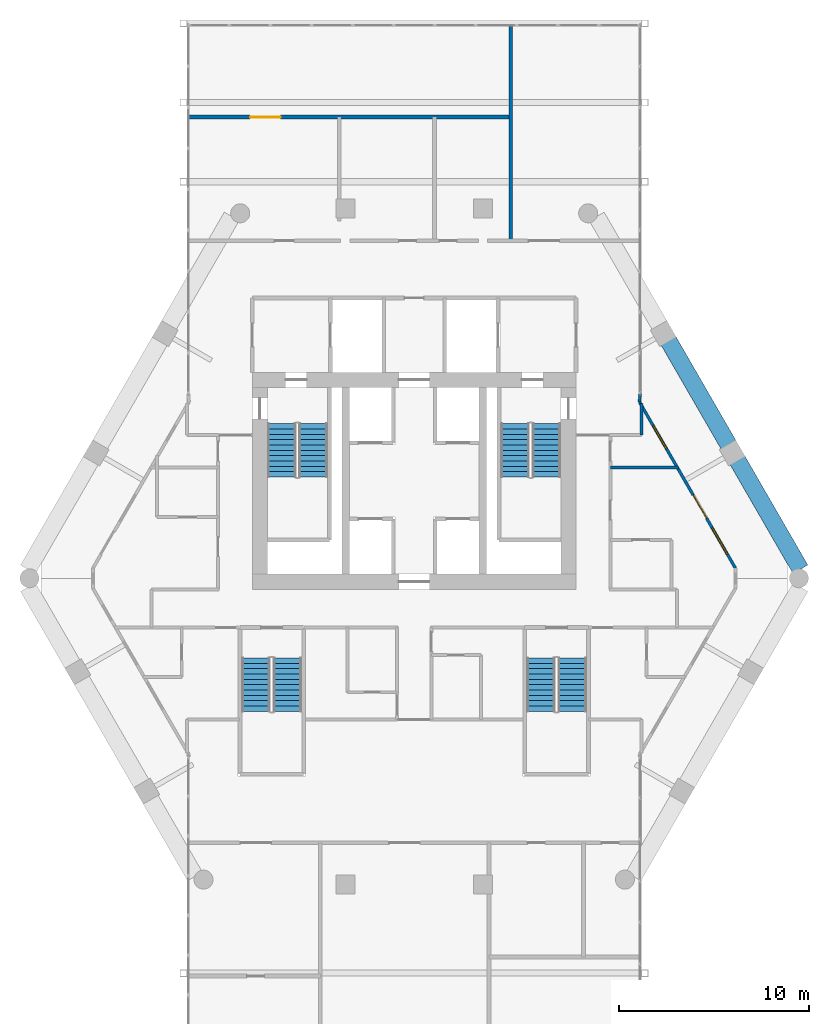
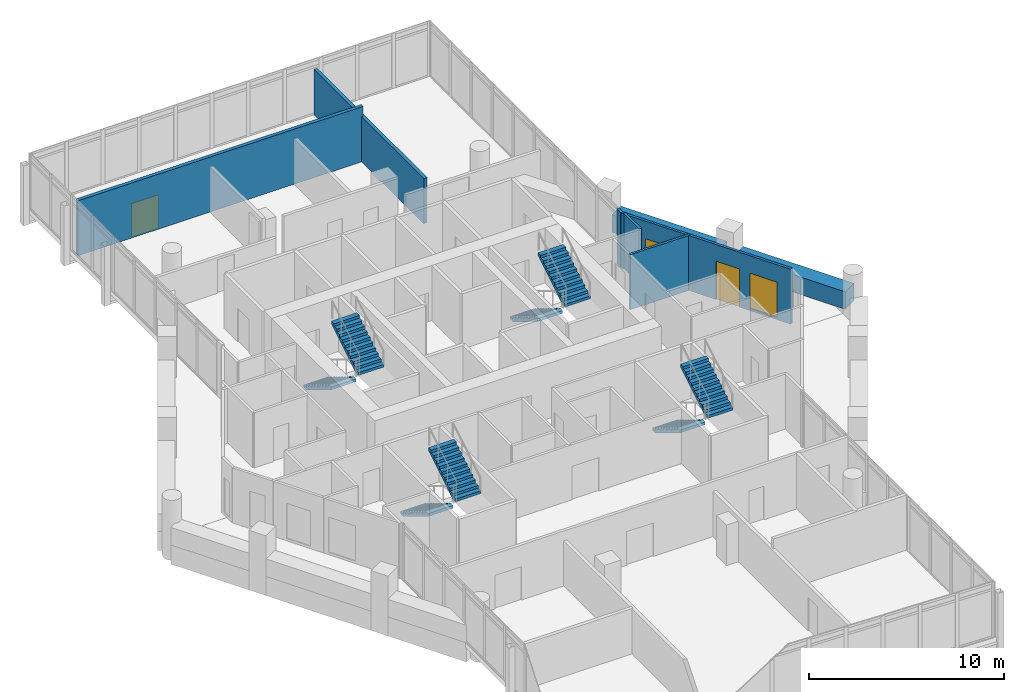
# One storey, part 28 of 29: 8 stair flights, 8 walls, 2 doors, 2 windows, 4 openings, 4 elements without a shape of their own.
"""IFC4 building model written with IfcOpenShell, lengths in metres."""

from ifc_helpers import new_model, si_unit, direction, frame, frame_2d, origin, place, context, subcontext, project, spatial, polyline, rectangle, outline, extrude, material, layer, layer_set, type_object, element, fill, aggregate, save


model = new_model("IFC4")

# Units and contexts
model_context = context("Model", 3, precision=1e-05, world=origin(), true_north=direction((0.0, 1.0)))
body_context = subcontext(model_context, "Body", "Model", "MODEL_VIEW")
ifc_project = project(units=[si_unit("LENGTHUNIT", "METRE"), si_unit("AREAUNIT", "SQUARE_METRE"), si_unit("VOLUMEUNIT", "CUBIC_METRE"), si_unit("PLANEANGLEUNIT", "RADIAN"), si_unit("MASSUNIT", "GRAM", prefix="KILO")], contexts=[model_context])

# Site, building, storey
site_placement = place(None, origin())
site = spatial("IfcSite", under=ifc_project, at=site_placement, CompositionType="ELEMENT")
building_placement = place(site_placement, origin())
building = spatial("IfcBuilding", under=site, at=building_placement, Name="Ostrander Bayou Hotel Tower", CompositionType="ELEMENT")
storey_placement = place(building_placement, frame((0.0, 0.0, 202.0)))
storey = spatial("IfcBuildingStorey", under=building, at=storey_placement, Name="L50", CompositionType="ELEMENT", Elevation=202.0)

# Wall, openings, door, windows
ifc_material_1 = material(Name="Aluminium framed insulated wall", Category="aluminium")
ifc_layer_1 = layer(ifc_material_1, 0.14990234375)
ifc_layer_set_1 = layer_set([ifc_layer_1], Name="GW1 glass-line wall 150 mm")
wall_type_1 = type_object("IfcWallType", Name="GW1 glass-line wall 150 mm", PredefinedType="SOLIDWALL", material=ifc_layer_set_1)
wall_1_placement = place(storey_placement, frame((16.861328125, -0.580322265625, 0.0), z_axis=(0.0, 0.0, 1.0), x_axis=(-0.499993749393, 0.866029012544, 0.0)))
wall_1 = element("IfcWall", 1, at=wall_1_placement, inside=storey, type_object=wall_type_1, Name="GW1 L50 NE 1", PredefinedType="SOLIDWALL", context=body_context, shape_type="SweptSolid", body=[
    extrude(rectangle(XDim=10.074951171875, YDim=0.14990234375, at=frame_2d((5.03759765625, 0.0))), origin(), (0.0, 0.0, 1.0), 3.449951171875),
])
opening_1_placement = place(wall_1_placement, frame((0.833251953125, 0.0, 0.14990234375)))
opening_1 = element("IfcOpeningElement", 2, at=opening_1_placement, cuts=wall_1, Name="Opening W9", PredefinedType="OPENING", context=body_context, shape_type="SweptSolid", body=[
    extrude(rectangle(XDim=1.60009765625, YDim=2.199951171875, at=frame_2d((0.800048828125, 1.10009765625))), frame((0.0, 0.074951171875, 0.0), z_axis=(0.0, -1.0, 0.0), x_axis=(1.0, 0.0, 0.0)), (0.0, 0.0, 1.0), 0.14990234375),
])
opening_2_placement = place(wall_1_placement, frame((3.033203125, 0.0, 0.0)))
opening_2 = element("IfcOpeningElement", 3, at=opening_2_placement, cuts=wall_1, Name="Opening T50-801", PredefinedType="OPENING", context=body_context, shape_type="SweptSolid", body=[
    extrude(rectangle(XDim=1.39990234375, YDim=2.39990234375, at=frame_2d((0.699951171875, 1.199951171875))), frame((0.0, 0.074951171875, 0.0), z_axis=(0.0, -1.0, 0.0), x_axis=(1.0, 0.0, 0.0)), (0.0, 0.0, 1.0), 0.14990234375),
])
opening_3_placement = place(wall_1_placement, frame((7.233154296875, 0.0, 0.14990234375)))
opening_3 = element("IfcOpeningElement", 4, at=opening_3_placement, cuts=wall_1, Name="Opening W13", PredefinedType="OPENING", context=body_context, shape_type="SweptSolid", body=[
    extrude(rectangle(XDim=1.39990234375, YDim=2.199951171875, at=frame_2d((0.699951171875, 1.10009765625))), frame((0.0, 0.074951171875, 0.0), z_axis=(0.0, -1.0, 0.0), x_axis=(1.0, 0.0, 0.0)), (0.0, 0.0, 1.0), 0.14990234375),
])
ifc_material_2 = material(Name="Aluminium and clear glass", Category="aluminium")
door_type_1 = type_object("IfcDoorType", Name="SD3 sliding glass door 1400 mm, zone 3", OperationType="SLIDING_TO_LEFT", PredefinedType="DOOR", material=ifc_material_2)
door_1_placement = place(opening_2_placement, origin())
door_1 = element("IfcDoor", 5, at=door_1_placement, inside=storey, type_object=door_type_1, Name="SD3 L50 NE 1", OperationType="SLIDING_TO_LEFT", OverallHeight=2.39990234375, OverallWidth=1.39990234375, PredefinedType="DOOR", context=body_context, shape_type="SweptSolid", body=[
    extrude(rectangle(XDim=1.39990234375, YDim=2.39990234375, at=frame_2d((0.699951171875, 1.199951171875))), frame((0.0, 0.02490234375, 0.0), z_axis=(0.0, -1.0, 0.0), x_axis=(1.0, 0.0, 0.0)), (0.0, 0.0, 1.0), 0.050048828125),
])
fill(opening_2, door_1)
ifc_material_3 = material(Name="Aluminium and clear glass", Category="aluminium")
window_type_1 = type_object("IfcWindowType", Name="W13 fixed window 1400 mm, bath bay, zone 3", PartitioningType="SINGLE_PANEL", PredefinedType="WINDOW", material=ifc_material_3)
window_1_placement = place(opening_3_placement, origin())
window_1 = element("IfcWindow", 6, at=window_1_placement, inside=storey, type_object=window_type_1, Name="W13 L50 NE 2", OverallHeight=2.199951171875, OverallWidth=1.39990234375, PartitioningType="SINGLE_PANEL", PredefinedType="WINDOW", context=body_context, shape_type="SweptSolid", body=[
    extrude(rectangle(XDim=1.39990234375, YDim=2.199951171875, at=frame_2d((0.699951171875, 1.10009765625))), frame((0.0, 0.030029296875, 0.0), z_axis=(0.0, -1.0, 0.0), x_axis=(1.0, 0.0, 0.0)), (0.0, 0.0, 1.0), 0.06005859375),
])
fill(opening_3, window_1)
ifc_material_4 = material(Name="Aluminium and clear glass", Category="aluminium")
window_type_2 = type_object("IfcWindowType", Name="W9 fixed window 1600 mm, bar storeys, zone 3", PartitioningType="SINGLE_PANEL", PredefinedType="WINDOW", material=ifc_material_4)
window_2_placement = place(opening_1_placement, origin())
window_2 = element("IfcWindow", 7, at=window_2_placement, inside=storey, type_object=window_type_2, Name="W9 L50 NE 1", OverallHeight=2.199951171875, OverallWidth=1.60009765625, PartitioningType="SINGLE_PANEL", PredefinedType="WINDOW", context=body_context, shape_type="SweptSolid", body=[
    extrude(rectangle(XDim=1.60009765625, YDim=2.199951171875, at=frame_2d((0.800048828125, 1.10009765625))), frame((0.0, 0.030029296875, 0.0), z_axis=(0.0, -1.0, 0.0), x_axis=(1.0, 0.0, 0.0)), (0.0, 0.0, 1.0), 0.06005859375),
])
fill(opening_1, window_2)

# Walls
wall_2_placement = place(storey_placement, frame((11.823974609375, 8.144775390625, 0.0), z_axis=(0.0, 0.0, 1.0), x_axis=(0.078869316502, 0.996884963732, 0.0)))
element("IfcWall", 8, at=wall_2_placement, inside=storey, type_object=wall_type_1, Name="GW1 L50 bar joint 4", PredefinedType="SOLIDWALL", context=body_context, shape_type="SweptSolid", body=[
    extrude(rectangle(XDim=0.4208984375, YDim=0.14990234375, at=frame_2d((0.21044921875, 0.0))), origin(), (0.0, 0.0, 1.0), 3.449951171875),
])
ifc_material_5 = material(Name="Concrete f'c 40 MPa", Category="concrete")
ifc_layer_2 = layer(ifc_material_5, 0.89990234375)
ifc_layer_set_2 = layer_set([ifc_layer_2], Name="PA1 stone-faced parapet 900 mm")
wall_type_2 = type_object("IfcWallType", Name="PA1 stone-faced parapet 900 mm", PredefinedType="PARAPET", material=ifc_layer_set_2)
wall_3_placement = place(storey_placement, frame((20.275146484375, -0.64306640625, 0.0), z_axis=(0.0, 0.0, 1.0), x_axis=(-0.500010360262, 0.866019422202, 0.0)))
element("IfcWall", 9, at=wall_3_placement, inside=storey, type_object=wall_type_2, Name="PA1 L50 NE-1", PredefinedType="PARAPET", context=body_context, shape_type="SweptSolid", body=[
    extrude(rectangle(XDim=6.606201171875, YDim=0.89990234375, at=frame_2d((3.30322265625, 0.0))), origin(), (0.0, 0.0, 1.0), 1.10009765625),
])
wall_4_placement = place(storey_placement, frame((16.501953125, 5.892333984375, 0.0), z_axis=(0.0, 0.0, 1.0), x_axis=(-0.500013351051, 0.866017695414, 0.0)))
element("IfcWall", 10, at=wall_4_placement, inside=storey, type_object=wall_type_2, Name="PA1 L50 NE-2", PredefinedType="PARAPET", context=body_context, shape_type="SweptSolid", body=[
    extrude(rectangle(XDim=6.296142578125, YDim=0.89990234375, at=frame_2d((3.14794921875, 0.0))), origin(), (0.0, 0.0, 1.0), 1.10009765625),
])

# Wall, opening, door
ifc_material_6 = material(Name="Gypsum board partition", Category="finish")
ifc_layer_3 = layer(ifc_material_6, 0.199951171875)
ifc_layer_set_3 = layer_set([ifc_layer_3], Name="PT3 demising wall 200 mm acoustic double stud, 1 hour")
wall_type_3 = type_object("IfcWallType", Name="PT3 demising wall 200 mm acoustic double stud, 1 hour", PredefinedType="PARTITIONING", material=ifc_layer_set_3)
wall_5_placement = place(storey_placement, frame((-11.838134765625, 23.10009765625, 0.0), z_axis=(0.0, 0.0, 1.0), x_axis=(1.0, 0.0, 0.0)))
wall_5 = element("IfcWall", 11, at=wall_5_placement, inside=storey, type_object=wall_type_3, Name="sw:L50:506", PredefinedType="PARTITIONING", context=body_context, shape_type="SweptSolid", body=[
    extrude(rectangle(XDim=16.906005859375, YDim=0.199951171875, at=frame_2d((8.453125, 0.0))), origin(), (0.0, 0.0, 1.0), 3.449951171875),
])
opening_4_placement = place(wall_5_placement, frame((3.220947265625, 0.0, 0.0)))
opening_4 = element("IfcOpeningElement", 12, at=opening_4_placement, cuts=wall_5, Name="Opening T50-1210", PredefinedType="OPENING", context=body_context, shape_type="SweptSolid", body=[
    extrude(rectangle(XDim=1.60009765625, YDim=2.10009765625, at=frame_2d((0.800048828125, 1.050048828125))), frame((0.0, 0.10009765625, 0.0), z_axis=(0.0, -1.0, 0.0), x_axis=(1.0, 0.0, 0.0)), (0.0, 0.0, 1.0), 0.199951171875),
])
ifc_material_7 = material(Name="Timber door leaf", Category="wood")
door_type_2 = type_object("IfcDoorType", Name="D13 double door 1600 x 2100 mm, 1 hour", OperationType="SINGLE_SWING_LEFT", PredefinedType="DOOR", material=ifc_material_7)
door_2_placement = place(opening_4_placement, origin())
door_2 = element("IfcDoor", 13, at=door_2_placement, inside=storey, type_object=door_type_2, Name="dr:L50:1210", OperationType="DOUBLE_DOOR_SINGLE_SWING", OverallHeight=2.10009765625, OverallWidth=1.60009765625, PredefinedType="DOOR", context=body_context, shape_type="SweptSolid", body=[
    extrude(rectangle(XDim=1.60009765625, YDim=2.10009765625, at=frame_2d((0.800048828125, 1.050048828125))), frame((0.0, 0.02490234375, 0.0), z_axis=(0.0, -1.0, 0.0), x_axis=(1.0, 0.0, 0.0)), (0.0, 0.0, 1.0), 0.050048828125),
])
fill(opening_4, door_2)

# Walls
wall_6_placement = place(storey_placement, frame((5.068115234375, 16.60009765625, 0.0), z_axis=(0.0, 0.0, 1.0), x_axis=(0.0, 1.0, 0.0)))
element("IfcWall", 14, at=wall_6_placement, inside=storey, type_object=wall_type_3, Name="sw:L50:511", PredefinedType="PARTITIONING", context=body_context, shape_type="SweptSolid", body=[
    extrude(rectangle(XDim=11.297119140625, YDim=0.199951171875, at=frame_2d((5.6484375, 0.0))), origin(), (0.0, 0.0, 1.0), 2.8388671875),
])
ifc_material_8 = material(Name="Gypsum board partition", Category="finish")
ifc_layer_4 = layer(ifc_material_8, 0.14990234375)
ifc_layer_set_4 = layer_set([ifc_layer_4], Name="PT8 service band wall 150 mm, 1 hour")
wall_type_4 = type_object("IfcWallType", Name="PT8 service band wall 150 mm, 1 hour", PredefinedType="PARTITIONING", material=ifc_layer_set_4)
wall_7_placement = place(storey_placement, frame((10.300048828125, 4.699951171875, 0.0), z_axis=(0.0, 0.0, 1.0), x_axis=(1.0, 0.0, 0.0)))
element("IfcWall", 15, at=wall_7_placement, inside=storey, type_object=wall_type_4, Name="gw:L50:017", PredefinedType="PARTITIONING", context=body_context, shape_type="SweptSolid", body=[
    extrude(rectangle(XDim=3.56494140625, YDim=0.14990234375, at=frame_2d((1.782470703125, 0.0))), origin(), (0.0, 0.0, 1.0), 3.449951171875),
])
wall_8_placement = place(storey_placement, frame((11.929931640625, 6.39990234375, 0.0), z_axis=(0.0, 0.0, 1.0), x_axis=(0.0, 1.0, 0.0)))
element("IfcWall", 16, at=wall_8_placement, inside=storey, type_object=wall_type_4, Name="gw:L50:024", PredefinedType="PARTITIONING", context=body_context, shape_type="SweptSolid", body=[
    extrude(rectangle(XDim=1.651123046875, YDim=0.14990234375, at=frame_2d((0.82568359375, 0.0))), origin(), (0.0, 0.0, 1.0), 3.449951171875),
])

# Stair, stair flights
ifc_material_9 = material(Name="Concrete f'c 45 MPa", Category="concrete")
stair_type = type_object("IfcStairType", Name="ST1 exit stair 1500 mm f'c 45 MPa", PredefinedType="HALF_TURN_STAIR", material=ifc_material_9)
stair_1_placement = place(storey_placement, origin())
stair_1 = element("IfcStair", 17, at=stair_1_placement, inside=storey, type_object=stair_type, Name="L50 exit stair A", PredefinedType="HALF_TURN_STAIR")
ifc_material_10 = material(Name="Concrete f'c 45 MPa", Category="concrete")
stair_flight_type = type_object("IfcStairFlightType", Name="SF1 stair flight 1500 mm f'c 45 MPa", PredefinedType="STRAIGHT", material=ifc_material_10)
stair_flight_1_placement = place(storey_placement, frame((-6.949951171875, 7.0, 0.0), z_axis=(0.0, 0.0, 1.0), x_axis=(0.0, -1.0, 0.0)))
stair_flight_1 = element("IfcStairFlight", 18, at=stair_flight_1_placement, type_object=stair_flight_type, Name="STA flight 1", NumberOfRisers=11, NumberOfTreads=10, PredefinedType="STRAIGHT", RiserHeight=0.170454545, TreadLength=0.28, context=body_context, shape_type="SweptSolid", body=[
    extrude(outline(polyline([(0.0, 0.0), (0.0, 0.17041015625), (0.280029296875, 0.17041015625), (0.280029296875, 0.3408203125), (0.56005859375, 0.3408203125), (0.56005859375, 0.511474609375), (0.840087890625, 0.511474609375), (0.840087890625, 0.681884765625), (1.1201171875, 0.681884765625), (1.1201171875, 0.852294921875), (1.39990234375, 0.852294921875), (1.39990234375, 1.022705078125), (1.679931640625, 1.022705078125), (1.679931640625, 1.193115234375), (1.9599609375, 1.193115234375), (1.9599609375, 1.363525390625), (2.239990234375, 1.363525390625), (2.239990234375, 1.5341796875), (2.52001953125, 1.5341796875), (2.52001953125, 1.70458984375), (2.800048828125, 1.70458984375), (2.800048828125, 1.875), (2.800048828125, 1.529052734375), (0.288330078125, 0.0), (0.0, 0.0)])), frame((0.0, 0.75, 0.0), z_axis=(0.0, -1.0, 0.0), x_axis=(1.0, 0.0, 0.0)), (0.0, 0.0, 1.0), 1.5),
])
stair_flight_2_placement = place(storey_placement, frame((-5.300048828125, 4.199951171875, 1.875), z_axis=(0.0, 0.0, 1.0), x_axis=(0.0, 1.0, 0.0)))
stair_flight_2 = element("IfcStairFlight", 19, at=stair_flight_2_placement, type_object=stair_flight_type, Name="STA flight 2", NumberOfRisers=11, NumberOfTreads=10, PredefinedType="STRAIGHT", RiserHeight=0.170454545, TreadLength=0.28, context=body_context, shape_type="SweptSolid", body=[
    extrude(outline(polyline([(0.0, 0.0), (0.0, 0.17041015625), (0.280029296875, 0.17041015625), (0.280029296875, 0.3408203125), (0.56005859375, 0.3408203125), (0.56005859375, 0.511474609375), (0.840087890625, 0.511474609375), (0.840087890625, 0.681884765625), (1.1201171875, 0.681884765625), (1.1201171875, 0.852294921875), (1.39990234375, 0.852294921875), (1.39990234375, 1.022705078125), (1.679931640625, 1.022705078125), (1.679931640625, 1.193115234375), (1.9599609375, 1.193115234375), (1.9599609375, 1.363525390625), (2.239990234375, 1.363525390625), (2.239990234375, 1.5341796875), (2.52001953125, 1.5341796875), (2.52001953125, 1.70458984375), (2.800048828125, 1.70458984375), (2.800048828125, 1.875), (2.800048828125, 1.529052734375), (0.288330078125, 0.0), (0.0, 0.0)])), frame((0.0, 0.75, 0.0), z_axis=(0.0, -1.0, 0.0), x_axis=(1.0, 0.0, 0.0)), (0.0, 0.0, 1.0), 1.5),
])
aggregate(stair_1, [stair_flight_1, stair_flight_2])

stair_2_placement = place(storey_placement, origin())
stair_2 = element("IfcStair", 20, at=stair_2_placement, inside=storey, type_object=stair_type, Name="L50 exit stair B", PredefinedType="HALF_TURN_STAIR")
stair_flight_3_placement = place(storey_placement, frame((5.300048828125, 7.0, 0.0), z_axis=(0.0, 0.0, 1.0), x_axis=(0.0, -1.0, 0.0)))
stair_flight_3 = element("IfcStairFlight", 21, at=stair_flight_3_placement, type_object=stair_flight_type, Name="STB flight 1", NumberOfRisers=11, NumberOfTreads=10, PredefinedType="STRAIGHT", RiserHeight=0.170454545, TreadLength=0.28, context=body_context, shape_type="SweptSolid", body=[
    extrude(outline(polyline([(0.0, 0.0), (0.0, 0.17041015625), (0.280029296875, 0.17041015625), (0.280029296875, 0.3408203125), (0.56005859375, 0.3408203125), (0.56005859375, 0.511474609375), (0.840087890625, 0.511474609375), (0.840087890625, 0.681884765625), (1.1201171875, 0.681884765625), (1.1201171875, 0.852294921875), (1.39990234375, 0.852294921875), (1.39990234375, 1.022705078125), (1.679931640625, 1.022705078125), (1.679931640625, 1.193115234375), (1.9599609375, 1.193115234375), (1.9599609375, 1.363525390625), (2.239990234375, 1.363525390625), (2.239990234375, 1.5341796875), (2.52001953125, 1.5341796875), (2.52001953125, 1.70458984375), (2.800048828125, 1.70458984375), (2.800048828125, 1.875), (2.800048828125, 1.529052734375), (0.288330078125, 0.0), (0.0, 0.0)])), frame((0.0, 0.75, 0.0), z_axis=(0.0, -1.0, 0.0), x_axis=(1.0, 0.0, 0.0)), (0.0, 0.0, 1.0), 1.5),
])
stair_flight_4_placement = place(storey_placement, frame((6.949951171875, 4.199951171875, 1.875), z_axis=(0.0, 0.0, 1.0), x_axis=(0.0, 1.0, 0.0)))
stair_flight_4 = element("IfcStairFlight", 22, at=stair_flight_4_placement, type_object=stair_flight_type, Name="STB flight 2", NumberOfRisers=11, NumberOfTreads=10, PredefinedType="STRAIGHT", RiserHeight=0.170454545, TreadLength=0.28, context=body_context, shape_type="SweptSolid", body=[
    extrude(outline(polyline([(0.0, 0.0), (0.0, 0.17041015625), (0.280029296875, 0.17041015625), (0.280029296875, 0.3408203125), (0.56005859375, 0.3408203125), (0.56005859375, 0.511474609375), (0.840087890625, 0.511474609375), (0.840087890625, 0.681884765625), (1.1201171875, 0.681884765625), (1.1201171875, 0.852294921875), (1.39990234375, 0.852294921875), (1.39990234375, 1.022705078125), (1.679931640625, 1.022705078125), (1.679931640625, 1.193115234375), (1.9599609375, 1.193115234375), (1.9599609375, 1.363525390625), (2.239990234375, 1.363525390625), (2.239990234375, 1.5341796875), (2.52001953125, 1.5341796875), (2.52001953125, 1.70458984375), (2.800048828125, 1.70458984375), (2.800048828125, 1.875), (2.800048828125, 1.529052734375), (0.288330078125, 0.0), (0.0, 0.0)])), frame((0.0, 0.75, 0.0), z_axis=(0.0, -1.0, 0.0), x_axis=(1.0, 0.0, 0.0)), (0.0, 0.0, 1.0), 1.5),
])
aggregate(stair_2, [stair_flight_3, stair_flight_4])

stair_3_placement = place(storey_placement, origin())
stair_3 = element("IfcStair", 23, at=stair_3_placement, inside=storey, type_object=stair_type, Name="L50 exit stair C", PredefinedType="HALF_TURN_STAIR")
stair_flight_5_placement = place(storey_placement, frame((6.64990234375, -5.300048828125, 0.0), z_axis=(0.0, 0.0, 1.0), x_axis=(0.0, -1.0, 0.0)))
stair_flight_5 = element("IfcStairFlight", 24, at=stair_flight_5_placement, type_object=stair_flight_type, Name="STC flight 1", NumberOfRisers=11, NumberOfTreads=10, PredefinedType="STRAIGHT", RiserHeight=0.170454545, TreadLength=0.28, context=body_context, shape_type="SweptSolid", body=[
    extrude(outline(polyline([(0.0, 0.0), (0.0, 0.17041015625), (0.280029296875, 0.17041015625), (0.280029296875, 0.3408203125), (0.56005859375, 0.3408203125), (0.56005859375, 0.511474609375), (0.840087890625, 0.511474609375), (0.840087890625, 0.681884765625), (1.1201171875, 0.681884765625), (1.1201171875, 0.852294921875), (1.39990234375, 0.852294921875), (1.39990234375, 1.022705078125), (1.679931640625, 1.022705078125), (1.679931640625, 1.193115234375), (1.9599609375, 1.193115234375), (1.9599609375, 1.363525390625), (2.239990234375, 1.363525390625), (2.239990234375, 1.5341796875), (2.52001953125, 1.5341796875), (2.52001953125, 1.70458984375), (2.800048828125, 1.70458984375), (2.800048828125, 1.875), (2.800048828125, 1.529052734375), (0.288330078125, 0.0), (0.0, 0.0)])), frame((0.0, 0.75, 0.0), z_axis=(0.0, -1.0, 0.0), x_axis=(1.0, 0.0, 0.0)), (0.0, 0.0, 1.0), 1.5),
])
stair_flight_6_placement = place(storey_placement, frame((8.300048828125, -8.10009765625, 1.875), z_axis=(0.0, 0.0, 1.0), x_axis=(0.0, 1.0, 0.0)))
stair_flight_6 = element("IfcStairFlight", 25, at=stair_flight_6_placement, type_object=stair_flight_type, Name="STC flight 2", NumberOfRisers=11, NumberOfTreads=10, PredefinedType="STRAIGHT", RiserHeight=0.170454545, TreadLength=0.28, context=body_context, shape_type="SweptSolid", body=[
    extrude(outline(polyline([(0.0, 0.0), (0.0, 0.17041015625), (0.280029296875, 0.17041015625), (0.280029296875, 0.3408203125), (0.56005859375, 0.3408203125), (0.56005859375, 0.511474609375), (0.840087890625, 0.511474609375), (0.840087890625, 0.681884765625), (1.1201171875, 0.681884765625), (1.1201171875, 0.852294921875), (1.39990234375, 0.852294921875), (1.39990234375, 1.022705078125), (1.679931640625, 1.022705078125), (1.679931640625, 1.193115234375), (1.9599609375, 1.193115234375), (1.9599609375, 1.363525390625), (2.239990234375, 1.363525390625), (2.239990234375, 1.5341796875), (2.52001953125, 1.5341796875), (2.52001953125, 1.70458984375), (2.800048828125, 1.70458984375), (2.800048828125, 1.875), (2.800048828125, 1.529052734375), (0.288330078125, 0.0), (0.0, 0.0)])), frame((0.0, 0.75, 0.0), z_axis=(0.0, -1.0, 0.0), x_axis=(1.0, 0.0, 0.0)), (0.0, 0.0, 1.0), 1.5),
])
aggregate(stair_3, [stair_flight_5, stair_flight_6])

stair_4_placement = place(storey_placement, origin())
stair_4 = element("IfcStair", 26, at=stair_4_placement, inside=storey, type_object=stair_type, Name="L50 exit stair D", PredefinedType="HALF_TURN_STAIR")
stair_flight_7_placement = place(storey_placement, frame((-8.300048828125, -5.300048828125, 0.0), z_axis=(0.0, 0.0, 1.0), x_axis=(0.0, -1.0, 0.0)))
stair_flight_7 = element("IfcStairFlight", 27, at=stair_flight_7_placement, type_object=stair_flight_type, Name="STD flight 1", NumberOfRisers=11, NumberOfTreads=10, PredefinedType="STRAIGHT", RiserHeight=0.170454545, TreadLength=0.28, context=body_context, shape_type="SweptSolid", body=[
    extrude(outline(polyline([(0.0, 0.0), (0.0, 0.17041015625), (0.280029296875, 0.17041015625), (0.280029296875, 0.3408203125), (0.56005859375, 0.3408203125), (0.56005859375, 0.511474609375), (0.840087890625, 0.511474609375), (0.840087890625, 0.681884765625), (1.1201171875, 0.681884765625), (1.1201171875, 0.852294921875), (1.39990234375, 0.852294921875), (1.39990234375, 1.022705078125), (1.679931640625, 1.022705078125), (1.679931640625, 1.193115234375), (1.9599609375, 1.193115234375), (1.9599609375, 1.363525390625), (2.239990234375, 1.363525390625), (2.239990234375, 1.5341796875), (2.52001953125, 1.5341796875), (2.52001953125, 1.70458984375), (2.800048828125, 1.70458984375), (2.800048828125, 1.875), (2.800048828125, 1.529052734375), (0.288330078125, 0.0), (0.0, 0.0)])), frame((0.0, 0.75, 0.0), z_axis=(0.0, -1.0, 0.0), x_axis=(1.0, 0.0, 0.0)), (0.0, 0.0, 1.0), 1.5),
])
stair_flight_8_placement = place(storey_placement, frame((-6.64990234375, -8.10009765625, 1.875), z_axis=(0.0, 0.0, 1.0), x_axis=(0.0, 1.0, 0.0)))
stair_flight_8 = element("IfcStairFlight", 28, at=stair_flight_8_placement, type_object=stair_flight_type, Name="STD flight 2", NumberOfRisers=11, NumberOfTreads=10, PredefinedType="STRAIGHT", RiserHeight=0.170454545, TreadLength=0.28, context=body_context, shape_type="SweptSolid", body=[
    extrude(outline(polyline([(0.0, 0.0), (0.0, 0.17041015625), (0.280029296875, 0.17041015625), (0.280029296875, 0.3408203125), (0.56005859375, 0.3408203125), (0.56005859375, 0.511474609375), (0.840087890625, 0.511474609375), (0.840087890625, 0.681884765625), (1.1201171875, 0.681884765625), (1.1201171875, 0.852294921875), (1.39990234375, 0.852294921875), (1.39990234375, 1.022705078125), (1.679931640625, 1.022705078125), (1.679931640625, 1.193115234375), (1.9599609375, 1.193115234375), (1.9599609375, 1.363525390625), (2.239990234375, 1.363525390625), (2.239990234375, 1.5341796875), (2.52001953125, 1.5341796875), (2.52001953125, 1.70458984375), (2.800048828125, 1.70458984375), (2.800048828125, 1.875), (2.800048828125, 1.529052734375), (0.288330078125, 0.0), (0.0, 0.0)])), frame((0.0, 0.75, 0.0), z_axis=(0.0, -1.0, 0.0), x_axis=(1.0, 0.0, 0.0)), (0.0, 0.0, 1.0), 1.5),
])
aggregate(stair_4, [stair_flight_7, stair_flight_8])

save(model, "model.ifc")
